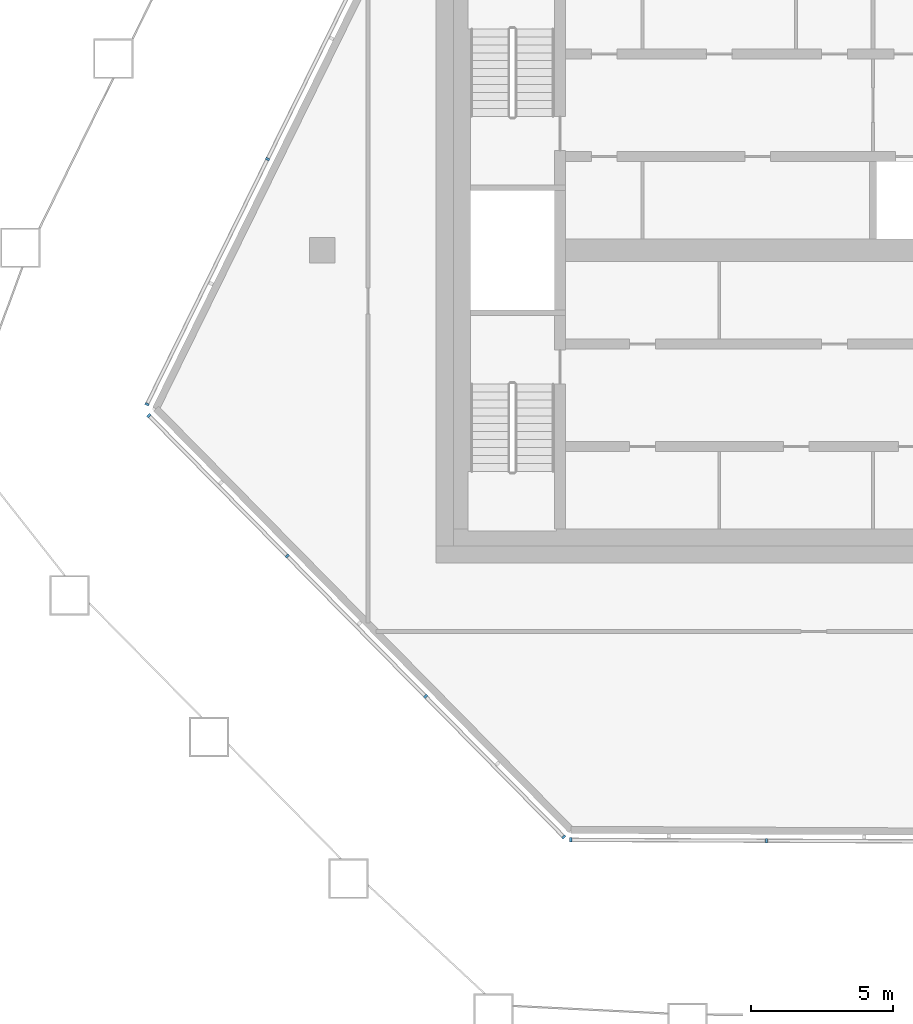
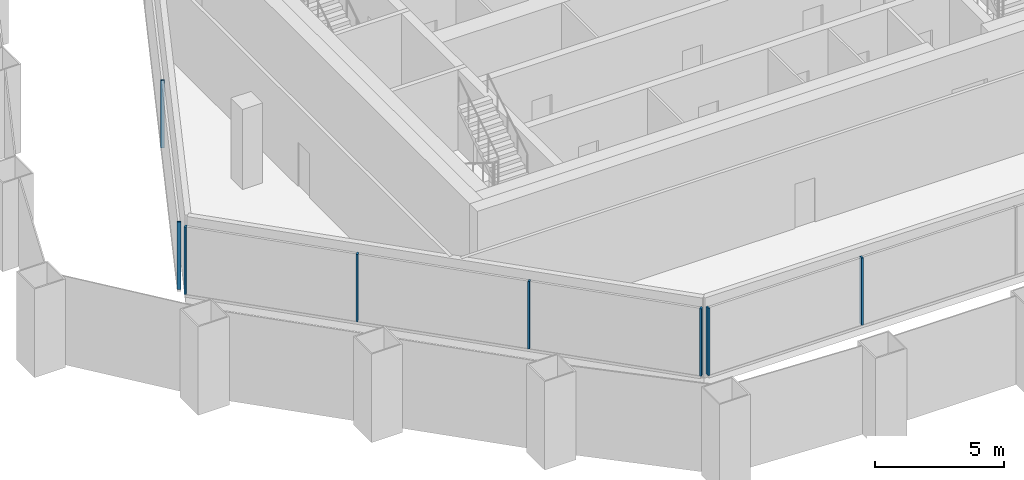
# One storey, part 2 of 18: 8 members, 3 elements without a shape of their own.
"""IFC4 building model written with IfcOpenShell, lengths in metres."""

from ifc_helpers import new_model, si_unit, direction, frame, origin, origin_2d, place, context, subcontext, project, spatial, rectangle, extrude, material, layer, layer_set, material_profile, profile_set, type_object, element, aggregate, save


model = new_model("IFC4")

# Units and contexts
model_context = context("Model", 3, precision=1e-05, world=origin(), true_north=direction((0.0, 1.0)))
body_context = subcontext(model_context, "Body", "Model", "MODEL_VIEW")
ifc_project = project(units=[si_unit("LENGTHUNIT", "METRE"), si_unit("AREAUNIT", "SQUARE_METRE"), si_unit("VOLUMEUNIT", "CUBIC_METRE"), si_unit("PLANEANGLEUNIT", "RADIAN"), si_unit("MASSUNIT", "GRAM", prefix="KILO")], contexts=[model_context])

# Site, building, storey
site_placement = place(None, origin())
site = spatial("IfcSite", under=ifc_project, at=site_placement, CompositionType="ELEMENT")
building_placement = place(site_placement, origin())
building = spatial("IfcBuilding", under=site, at=building_placement, Name="Dongbaek Canopy Tower", CompositionType="ELEMENT")
storey_placement = place(building_placement, frame((0.0, 0.0, 363.199951171875)))
storey = spatial("IfcBuildingStorey", under=building, at=storey_placement, Name="L78", CompositionType="ELEMENT", Elevation=363.199951171875)

# Curtain wall, members
ifc_material_1 = material(Name="Aluminium 6063-T6 pale anodised", Category="aluminium")
ifc_layer = layer(ifc_material_1, 0.14990234375)
ifc_layer_set = layer_set([ifc_layer], Name="CW-7 louvre curtain wall")
curtain_wall_type = type_object("IfcCurtainWallType", Name="CW-7 louvre curtain wall", PredefinedType="NOTDEFINED", material=ifc_layer_set)
curtain_wall_1_placement = place(storey_placement, origin())
curtain_wall_1 = element("IfcCurtainWall", 1, at=curtain_wall_1_placement, inside=storey, type_object=curtain_wall_type, Name="CW-7 louvre wall L78 F0", PredefinedType="NOTDEFINED")
ifc_material_2 = material(Name="Aluminium 6063-T6 pale anodised", Category="aluminium")
ifc_material_profile = material_profile(ifc_material_2, rectangle(XDim=0.14990234375, YDim=0.080078125, at=origin_2d()), Name="CW-7 mullion 80 x 150")
ifc_profile_set = profile_set([ifc_material_profile], Name="Aluminium 6063-T6 pale anodised")
member_type = type_object("IfcMemberType", Name="CW-7 mullion 80 x 150", PredefinedType="MULLION", material=ifc_profile_set)
member_1_placement = place(storey_placement, frame((-9.267333984375, -20.7265625, 0.300048828125), z_axis=(0.0, 0.0, 1.0), x_axis=(-0.004466136555, -0.999990026762, 0.0)))
member_1 = element("IfcMember", 2, at=member_1_placement, type_object=member_type, Name="CW-7 mullion L78 F0.1.1", PredefinedType="MULLION", context=body_context, shape_type="SweptSolid", body=[
    extrude(rectangle(XDim=0.14990234375, YDim=0.080078125, at=origin_2d()), origin(), (0.0, 0.0, 1.0), 3.199951171875),
])
member_2_placement = place(storey_placement, frame((-2.3896484375, -20.75732421875, 0.300048828125), z_axis=(0.0, 0.0, 1.0), x_axis=(-0.004466136555, -0.999990026762, 0.0)))
member_2 = element("IfcMember", 3, at=member_2_placement, type_object=member_type, Name="CW-7 mullion L78 F0.1.2", PredefinedType="MULLION", context=body_context, shape_type="SweptSolid", body=[
    extrude(rectangle(XDim=0.14990234375, YDim=0.080078125, at=origin_2d()), origin(), (0.0, 0.0, 1.0), 3.199951171875),
])
aggregate(curtain_wall_1, [member_1, member_2])

curtain_wall_2_placement = place(storey_placement, origin())
curtain_wall_2 = element("IfcCurtainWall", 4, at=curtain_wall_2_placement, inside=storey, type_object=curtain_wall_type, Name="CW-7 louvre wall L78 F4", PredefinedType="NOTDEFINED")
member_3_placement = place(storey_placement, frame((-19.927734375, 3.202392578125, 0.300048828125), z_axis=(0.0, 0.0, 1.0), x_axis=(-0.897339163834, 0.441341619439, 0.0)))
member_3 = element("IfcMember", 5, at=member_3_placement, type_object=member_type, Name="CW-7 mullion L78 F4.1.3", PredefinedType="MULLION", context=body_context, shape_type="SweptSolid", body=[
    extrude(rectangle(XDim=0.14990234375, YDim=0.080078125, at=origin_2d()), origin(), (0.0, 0.0, 1.0), 3.199951171875),
])
member_4_placement = place(storey_placement, frame((-24.165283203125, -5.41357421875, 0.300048828125), z_axis=(0.0, 0.0, 1.0), x_axis=(-0.897339163834, 0.441341619439, 0.0)))
member_4 = element("IfcMember", 6, at=member_4_placement, type_object=member_type, Name="CW-7 mullion L78 F4.1.4", PredefinedType="MULLION", context=body_context, shape_type="SweptSolid", body=[
    extrude(rectangle(XDim=0.14990234375, YDim=0.080078125, at=origin_2d()), origin(), (0.0, 0.0, 1.0), 3.199951171875),
])
aggregate(curtain_wall_2, [member_3, member_4])

curtain_wall_3_placement = place(storey_placement, origin())
curtain_wall_3 = element("IfcCurtainWall", 7, at=curtain_wall_3_placement, inside=storey, type_object=curtain_wall_type, Name="CW-7 louvre wall L78 F5", PredefinedType="NOTDEFINED")
member_5_placement = place(storey_placement, frame((-24.1005859375, -5.813720703125, 0.300048828125), z_axis=(0.0, 0.0, 1.0), x_axis=(-0.712454538603, -0.70171826998, 0.0)))
member_5 = element("IfcMember", 8, at=member_5_placement, type_object=member_type, Name="CW-7 mullion L78 F5.1.1", PredefinedType="MULLION", context=body_context, shape_type="SweptSolid", body=[
    extrude(rectangle(XDim=0.14990234375, YDim=0.080078125, at=origin_2d()), origin(), (0.0, 0.0, 1.0), 3.199951171875),
])
member_6_placement = place(storey_placement, frame((-19.23876953125, -10.749755859375, 0.300048828125), z_axis=(0.0, 0.0, 1.0), x_axis=(-0.712454538603, -0.70171826998, 0.0)))
member_6 = element("IfcMember", 9, at=member_6_placement, type_object=member_type, Name="CW-7 mullion L78 F5.1.2", PredefinedType="MULLION", context=body_context, shape_type="SweptSolid", body=[
    extrude(rectangle(XDim=0.14990234375, YDim=0.080078125, at=origin_2d()), origin(), (0.0, 0.0, 1.0), 3.199951171875),
])
member_7_placement = place(storey_placement, frame((-14.376953125, -15.68603515625, 0.300048828125), z_axis=(0.0, 0.0, 1.0), x_axis=(-0.712454538603, -0.70171826998, 0.0)))
member_7 = element("IfcMember", 10, at=member_7_placement, type_object=member_type, Name="CW-7 mullion L78 F5.1.3", PredefinedType="MULLION", context=body_context, shape_type="SweptSolid", body=[
    extrude(rectangle(XDim=0.14990234375, YDim=0.080078125, at=origin_2d()), origin(), (0.0, 0.0, 1.0), 3.199951171875),
])
member_8_placement = place(storey_placement, frame((-9.51513671875, -20.622314453125, 0.300048828125), z_axis=(0.0, 0.0, 1.0), x_axis=(-0.712454538603, -0.70171826998, 0.0)))
member_8 = element("IfcMember", 11, at=member_8_placement, type_object=member_type, Name="CW-7 mullion L78 F5.1.4", PredefinedType="MULLION", context=body_context, shape_type="SweptSolid", body=[
    extrude(rectangle(XDim=0.14990234375, YDim=0.080078125, at=origin_2d()), origin(), (0.0, 0.0, 1.0), 3.199951171875),
])
aggregate(curtain_wall_3, [member_5, member_6, member_7, member_8])

save(model, "model.ifc")
